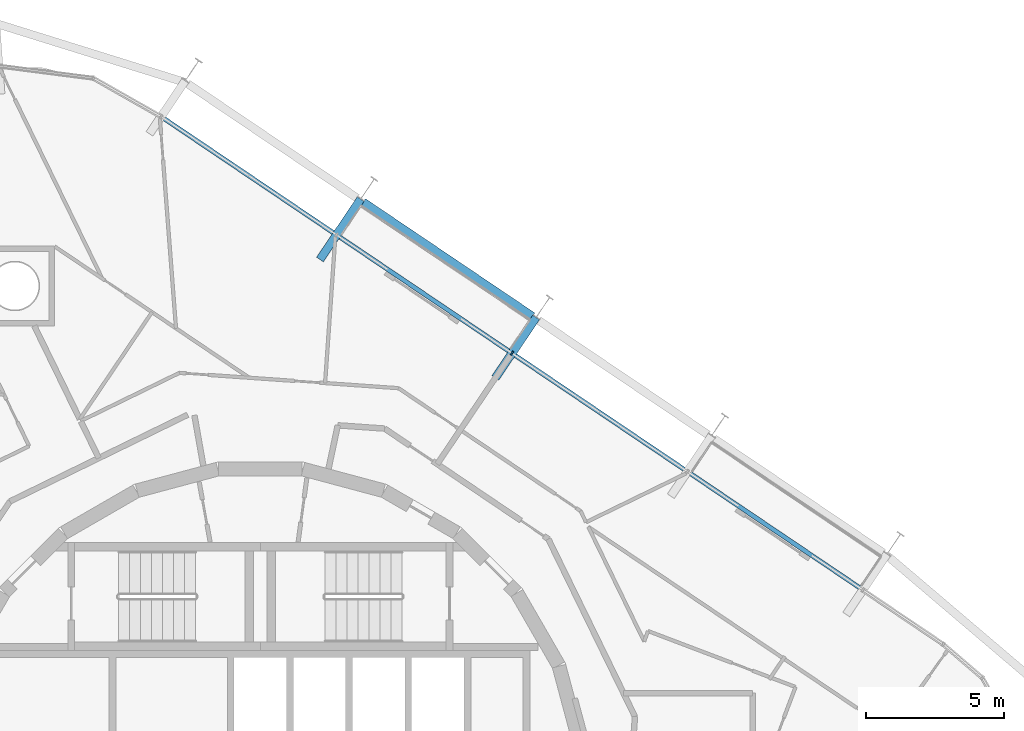
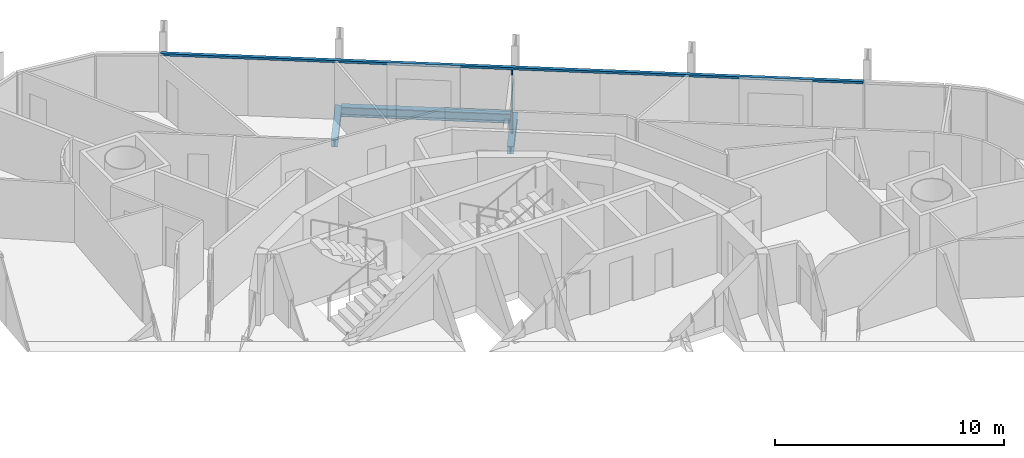
# One storey, part 7 of 17: 3 beams, 2 members, 1 element without a shape of its own.
"""IFC4 building model written with IfcOpenShell, lengths in metres."""

from ifc_helpers import new_model, si_unit, direction, frame, origin, origin_2d, place, context, subcontext, project, spatial, rectangle, i_section, extrude, material, layer, layer_set, material_profile, profile_set, type_object, element, aggregate, save


model = new_model("IFC4")

# Units and contexts
model_context = context("Model", 3, precision=1e-05, world=origin(), true_north=direction((0.0, 1.0)))
body_context = subcontext(model_context, "Body", "Model", "MODEL_VIEW")
ifc_project = project(units=[si_unit("LENGTHUNIT", "METRE"), si_unit("AREAUNIT", "SQUARE_METRE"), si_unit("VOLUMEUNIT", "CUBIC_METRE"), si_unit("PLANEANGLEUNIT", "RADIAN"), si_unit("MASSUNIT", "GRAM", prefix="KILO")], contexts=[model_context])

# Site, building, storey
site_placement = place(None, origin())
site = spatial("IfcSite", under=ifc_project, at=site_placement, CompositionType="ELEMENT")
building_placement = place(site_placement, origin())
building = spatial("IfcBuilding", under=site, at=building_placement, Name="Spindle Arch Residences", CompositionType="ELEMENT")
storey_placement = place(building_placement, frame((0.0, 0.0, 191.89990234375)))
storey = spatial("IfcBuildingStorey", under=building, at=storey_placement, Name="L48", CompositionType="ELEMENT", Elevation=191.89990234375)

# Curtain wall, members
ifc_material_1 = material(Name="Aluminium bronze unitised frame with tinted glass", Category="aluminium")
ifc_layer = layer(ifc_material_1, 0.159912109375)
ifc_layer_set = layer_set([ifc_layer], Name="CW-C typical residential unitised wall")
curtain_wall_type = type_object("IfcCurtainWallType", Name="CW-C typical residential unitised wall", PredefinedType="NOTDEFINED", material=ifc_layer_set)
curtain_wall_placement = place(storey_placement, origin())
curtain_wall = element("IfcCurtainWall", 1, at=curtain_wall_placement, inside=storey, type_object=curtain_wall_type, Name="CW-C L48 run 2", PredefinedType="NOTDEFINED")
ifc_material_2 = material(Name="Aluminium bronze anodised mullion", Category="aluminium")
ifc_material_profile_1 = material_profile(ifc_material_2, rectangle(XDim=0.159912109375, YDim=0.06005859375, at=origin_2d()), Name="MU 60x160")
ifc_profile_set_1 = profile_set([ifc_material_profile_1], Name="Aluminium bronze anodised mullion")
member_type_1 = type_object("IfcMemberType", Name="Bronze mullion 60x160", PredefinedType="MULLION", material=ifc_profile_set_1)
member_1_placement = place(storey_placement, frame((9.148193359375, 15.85595703125, -0.3798828125), z_axis=(0.0, 0.0, 1.0), x_axis=(-0.559192903471, -0.829037572555, 0.0)))
member_1 = element("IfcMember", 2, at=member_1_placement, type_object=member_type_1, Name="CW-C mullion 07", PredefinedType="MULLION", context=body_context, shape_type="SweptSolid", body=[
    extrude(rectangle(XDim=0.159912109375, YDim=0.06005859375, at=origin_2d()), origin(), (0.0, 0.0, 1.0), 3.3798828125),
])
ifc_material_3 = material(Name="Aluminium bronze anodised transom", Category="aluminium")
ifc_material_profile_2 = material_profile(ifc_material_3, rectangle(XDim=0.159912109375, YDim=0.1201171875, at=origin_2d()), Name="TR 120x160")
ifc_profile_set_2 = profile_set([ifc_material_profile_2], Name="Aluminium bronze anodised transom")
member_type_2 = type_object("IfcMemberType", Name="Bronze transom 120x160", PredefinedType="USERDEFINED", material=ifc_profile_set_2)
member_2_placement = place(storey_placement, frame((21.880126953125, 7.26806640625, 3.06005859375), z_axis=(-0.829038450691, 0.559191601578, 0.0), x_axis=(-0.559191601578, -0.829038450691, 0.0)))
member_2 = element("IfcMember", 3, at=member_2_placement, type_object=member_type_2, Name="CW-C transom 00", ObjectType="TRANSOM", PredefinedType="USERDEFINED", context=body_context, shape_type="SweptSolid", body=[
    extrude(rectangle(XDim=0.159912109375, YDim=0.1201171875, at=origin_2d()), origin(), (0.0, 0.0, 1.0), 30.71484375),
])
aggregate(curtain_wall, [member_2, member_1])

# Beams
ifc_material_4 = material(Name="Steel S460ML, intumescent coating R 120", Category="steel")
ifc_material_profile_3 = material_profile(ifc_material_4, i_section(OverallWidth=0.300048828125, OverallDepth=0.5, WebThickness=0.014404296875, FlangeThickness=0.028076171875, FilletRadius=0.027099609375, at=origin_2d()), Name="HEB 500")
ifc_profile_set_3 = profile_set([ifc_material_profile_3], Name="Steel S460ML, intumescent coating R 120")
beam_type_1 = type_object("IfcBeamType", Name="Exoskeleton edge beam HEB 500", PredefinedType="BEAM", material=ifc_profile_set_3)
beam_placement = place(storey_placement, frame((9.89599609375, 17.197021484375, -0.6298828125), z_axis=(-0.829031763913, 0.55920151504, 0.0), x_axis=(-0.55920151504, -0.829031763913, 0.0)))
element("IfcBeam", 4, at=beam_placement, inside=storey, type_object=beam_type_1, Name="Exoskeleton edge beam 8", PredefinedType="BEAM", context=body_context, shape_type="SweptSolid", body=[
    extrude(i_section(OverallWidth=0.300048828125, OverallDepth=0.5, WebThickness=0.014404296875, FlangeThickness=0.028076171875, FilletRadius=0.027099609375, at=origin_2d()), origin(), (0.0, 0.0, 1.0), 7.433837890625),
])
ifc_material_5 = material(Name="Steel S460ML, intumescent coating R 120", Category="steel")
ifc_material_profile_4 = material_profile(ifc_material_5, i_section(OverallWidth=0.300048828125, OverallDepth=0.389892578125, WebThickness=0.010986328125, FlangeThickness=0.01904296875, FilletRadius=0.027099609375, at=origin_2d()), Name="HEA 400")
ifc_profile_set_4 = profile_set([ifc_material_profile_4], Name="Steel S460ML, intumescent coating R 120")
beam_type_2 = type_object("IfcBeamType", Name="Floor outrigger HEA 400", PredefinedType="BEAM", material=ifc_profile_set_4)
for number, where, z_axis, x_axis, name in (
    (5, (10.026123046875, 17.157470703125, -0.574951171875), (-0.559241810757, -0.829004582075, 0.0), (0.829004582075, -0.559241810757, 0.0), "Floor outrigger 8"),
    (6, (3.647705078125, 21.459716796875, -0.574951171875), (-0.559135777436, -0.829076101688, 0.0), (0.829076101688, -0.559135777436, 0.0), "Floor outrigger 9"),
):
    element("IfcBeam", number, at=place(storey_placement, frame(where, z_axis=z_axis, x_axis=x_axis)), inside=storey, type_object=beam_type_2, Name=name, PredefinedType="BEAM", context=body_context, shape_type="SweptSolid", body=[
        extrude(i_section(OverallWidth=0.300048828125, OverallDepth=0.389892578125, WebThickness=0.010986328125, FlangeThickness=0.01904296875, FilletRadius=0.027099609375, at=origin_2d()), origin(), (0.0, 0.0, 1.0), 2.64990234375),
    ])

save(model, "model.ifc")
